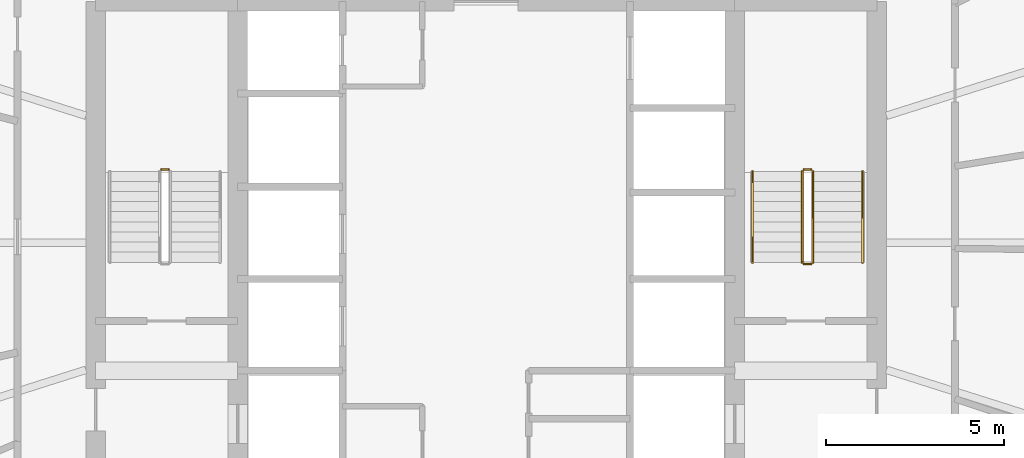
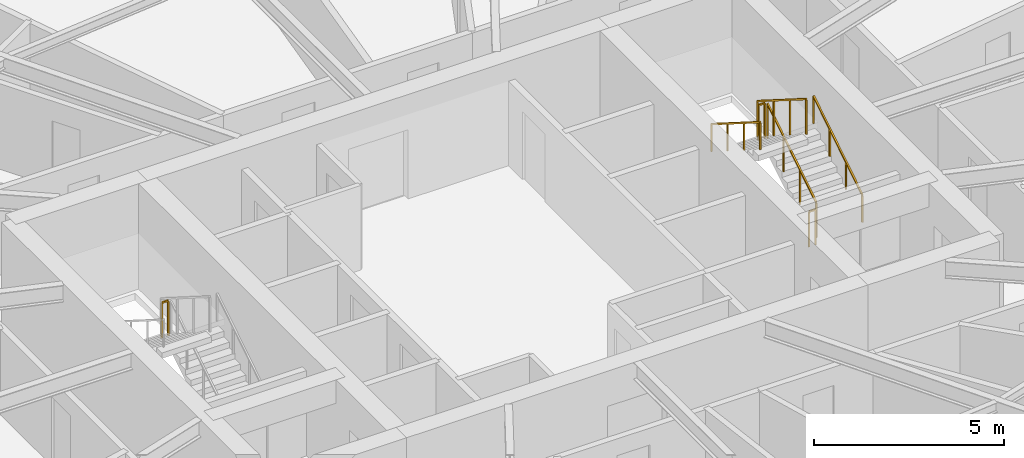
# One storey, part 24 of 24: 7 railings.
"""IFC4 building model written with IfcOpenShell, lengths in metres."""

import ifcopenshell
import ifcopenshell.guid

model = None  # the IFC model being written
_history = None  # IfcOwnerHistory: only IFC2X3 demands one
_inside = {}  # id of a spatial element -> (the spatial element, [elements in it])
_under = {}  # id of a project, library or spatial element -> (it, [spatial elements below it])
_declared = {}  # id of a project -> (the project, [libraries it declares])
_typed = {}  # id of a type object -> (the type object, [elements of that type])
_made_of = {}  # id of a material, layer set ... -> (it, [elements and type objects made of it])


def new_model(schema):
    """Start an empty IFC model of exactly this schema.

    Asked for "IFC4X3", IfcOpenShell would pick the latest addendum, in which some entities
    have other attributes; the version numbers below select the first issue.
    IFC2X3 requires an IfcOwnerHistory on every rooted entity: one is made here for all.
    """
    global model, _history
    if schema == "IFC4X3":
        model = ifcopenshell.file(schema_version=(4, 3, 0, 0))
    else:
        model = ifcopenshell.file(schema=schema)
    _inside.clear()
    _under.clear()
    _declared.clear()
    _typed.clear()
    _made_of.clear()
    _history = None
    if model.schema == "IFC2X3":
        org = make("IfcOrganization", Name="unknown")
        user = make(
            "IfcPersonAndOrganization",
            ThePerson=make("IfcPerson", FamilyName="unknown"),
            TheOrganization=org,
        )
        app = make(
            "IfcApplication",
            ApplicationDeveloper=org,
            Version="unknown",
            ApplicationFullName="unknown",
            ApplicationIdentifier="unknown",
        )
        _history = make(
            "IfcOwnerHistory",
            OwningUser=user,
            OwningApplication=app,
            ChangeAction="ADDED",
            CreationDate=0,
        )
    return model


def make(cls, **values):
    """One entity of the class cls with the attributes given. An attribute that is None is left unset."""
    return model.create_entity(
        cls, **{name: value for name, value in values.items() if value is not None}
    )


def rooted(cls, **values):
    """An entity with a GlobalId (a new one), such as an element, a storey or a relation."""
    return make(cls, GlobalId=ifcopenshell.guid.new(), OwnerHistory=_history, **values)


def si_unit(unit_type, name, prefix=None):
    """IfcSIUnit, for example si_unit("LENGTHUNIT", "METRE", prefix="MILLI")."""
    return make("IfcSIUnit", UnitType=unit_type, Prefix=prefix, Name=name)


def assignment(units):
    """IfcUnitAssignment: the units of a project."""
    return None if units is None else make("IfcUnitAssignment", Units=units)


def point(xyz):
    """IfcCartesianPoint."""
    return None if xyz is None else make("IfcCartesianPoint", Coordinates=xyz)


def direction(xyz):
    """IfcDirection."""
    return None if xyz is None else make("IfcDirection", DirectionRatios=xyz)


def frame(location, z_axis=None, x_axis=None):
    """IfcAxis2Placement3D, a coordinate frame: its origin and axes. An axis left out is left unset."""
    return make(
        "IfcAxis2Placement3D",
        Location=point(location),
        Axis=direction(z_axis),
        RefDirection=direction(x_axis),
    )


def frame_2d(location, x_axis=None):
    """IfcAxis2Placement2D, a coordinate frame in the plane: its origin and x axis."""
    return make(
        "IfcAxis2Placement2D", Location=point(location), RefDirection=direction(x_axis)
    )


def origin():
    """The frame at (0, 0, 0) with its axes left unset."""
    return frame((0.0, 0.0, 0.0))


def origin_2d():
    """The frame at (0, 0) in the plane with its x axis left unset."""
    return frame_2d((0.0, 0.0))


def place(relative_to, where):
    """IfcLocalPlacement: puts the frame where relative to a parent placement (None: the world)."""
    return make(
        "IfcLocalPlacement", PlacementRelTo=relative_to, RelativePlacement=where
    )


def context(
    kind, dimensions, precision=None, world=None, true_north=None, identifier=None
):
    """IfcGeometricRepresentationContext, for example the 3D "Model" context."""
    return make(
        "IfcGeometricRepresentationContext",
        ContextIdentifier=identifier,
        ContextType=kind,
        CoordinateSpaceDimension=dimensions,
        Precision=precision,
        WorldCoordinateSystem=world,
        TrueNorth=true_north,
    )


def subcontext(parent, identifier, kind, view, scale=None):
    """IfcGeometricRepresentationSubContext, for example "Body" below "Model"."""
    return make(
        "IfcGeometricRepresentationSubContext",
        ContextIdentifier=identifier,
        ContextType=kind,
        ParentContext=parent,
        TargetScale=scale,
        TargetView=view,
    )


def project(units=None, contexts=None):
    """IfcProject with its units and contexts."""
    return rooted(
        "IfcProject",
        Name="project",
        RepresentationContexts=contexts,
        UnitsInContext=assignment(units),
    )


def spatial(cls, under=None, at=None, **own):
    """A site, building, storey or space (cls), placed at a placement, below another one or the project."""
    s = rooted(cls, ObjectPlacement=at, **own)
    if under is not None:
        _under.setdefault(under.id(), (under, []))[1].append(s)
    return s


def profile(cls, at=None, kind="AREA", **sizes):
    """A parametric profile (cls). Its sizes go by their IFC names, for example OverallWidth=200.0."""
    return make(cls, ProfileType=kind, Position=at, **sizes)


def rectangle(**sizes):
    """IfcRectangleProfileDef."""
    return profile("IfcRectangleProfileDef", **sizes)


def extrude(swept, where, along, depth):
    """IfcExtrudedAreaSolid: the profile swept, set in the frame where, extruded along a direction by depth."""
    return make(
        "IfcExtrudedAreaSolid",
        SweptArea=swept,
        Position=where,
        ExtrudedDirection=direction(along),
        Depth=depth,
    )


def shape(context_of_items, identifier, shape_type, items):
    """IfcShapeRepresentation: the items that make up one representation, for example the "Body"."""
    return make(
        "IfcShapeRepresentation",
        ContextOfItems=context_of_items,
        RepresentationIdentifier=identifier,
        RepresentationType=shape_type,
        Items=items,
    )


def material(Name=None, Category=None):
    """IfcMaterial."""
    return make("IfcMaterial", Name=Name, Category=Category)


def made_of(thing, what):
    """Note that an element or type object is made of a material, layer set ...; save() writes the relation."""
    if what is not None:
        _made_of.setdefault(what.id(), (what, []))[1].append(thing)
    return thing


def type_object(cls, material=None, **own):
    """A type object (cls), such as IfcWallType, which elements share."""
    return made_of(rooted(cls, **own), material)


def element(
    cls,
    number,
    at=None,
    inside=None,
    cuts=None,
    type_object=None,
    material=None,
    context=None,
    identifier="Body",
    shape_type=None,
    held_by="IfcProductDefinitionShape",
    body=None,
    shapes=None,
    **own,
):
    """One element of the class cls, such as IfcWall. Its Tag is "e" and its number.

    at: its placement. inside: the storey or other place that contains it. cuts: it is an
    opening in that element (IfcRelVoidsElement). A single representation is given by context,
    identifier, shape_type and body (its items); several are given by shapes. held_by: the class
    of the entity that holds the representations. save() writes the other relations.
    """
    e = rooted(cls, Tag="e%d" % number, ObjectPlacement=at, **own)
    if body is not None:
        shapes = [shape(context, identifier, shape_type, body)]
    if shapes is not None:
        e.Representation = make(held_by, Representations=shapes)
    if inside is not None:
        _inside.setdefault(inside.id(), (inside, []))[1].append(e)
    if cuts is not None:
        rooted(
            "IfcRelVoidsElement", RelatingBuildingElement=cuts, RelatedOpeningElement=e
        )
    if type_object is not None:
        _typed.setdefault(type_object.id(), (type_object, []))[1].append(e)
    return made_of(e, material)


def aggregate(whole, parts):
    """IfcRelAggregates: a whole, such as a stair, and the parts it consists of."""
    return rooted("IfcRelAggregates", RelatingObject=whole, RelatedObjects=parts)


def save(model, path):
    """Write the relations noted so far, then the file.

    IfcRelAggregates (storeys below a building ...), IfcRelContainedInSpatialStructure (elements
    in a storey), IfcRelDefinesByType, IfcRelAssociatesMaterial and IfcRelDeclares: one each for
    every whole, place, type object, material and project.
    """
    for whole, parts in _under.values():
        aggregate(whole, parts)
    for where, things in _inside.values():
        rooted(
            "IfcRelContainedInSpatialStructure",
            RelatedElements=things,
            RelatingStructure=where,
        )
    for kind, things in _typed.values():
        rooted("IfcRelDefinesByType", RelatedObjects=things, RelatingType=kind)
    for what, things in _made_of.values():
        rooted("IfcRelAssociatesMaterial", RelatedObjects=things, RelatingMaterial=what)
    for by, libraries in _declared.values():
        rooted("IfcRelDeclares", RelatingContext=by, RelatedDefinitions=libraries)
    model.write(path)


model = new_model("IFC4")

# Units and contexts
model_context = context("Model", 3, precision=1e-05, world=origin(), true_north=direction((0.0, 1.0)))
body_context = subcontext(model_context, "Body", "Model", "MODEL_VIEW")
ifc_project = project(units=[si_unit("LENGTHUNIT", "METRE"), si_unit("AREAUNIT", "SQUARE_METRE"), si_unit("VOLUMEUNIT", "CUBIC_METRE"), si_unit("PLANEANGLEUNIT", "RADIAN"), si_unit("MASSUNIT", "GRAM", prefix="KILO")], contexts=[model_context])

# Site, building, storey
site_placement = place(None, origin())
site = spatial("IfcSite", under=ifc_project, at=site_placement, CompositionType="ELEMENT")
building_placement = place(site_placement, origin())
building = spatial("IfcBuilding", under=site, at=building_placement, Name="Sarneth Arch Tower", CompositionType="ELEMENT")
storey_placement = place(building_placement, frame((0.0, 0.0, 105.60009765625)))
storey = spatial("IfcBuildingStorey", under=building, at=storey_placement, Name="L26", CompositionType="ELEMENT", Elevation=105.60009765625)

# Railings
ifc_material_1 = material(Name="Brushed Stainless Steel 304 tubular handrail", Category="steel")
railing_type_1 = type_object("IfcRailingType", Name="RAIL-HANDRAIL-900", PredefinedType="HANDRAIL", material=ifc_material_1)
railing_1_placement = place(storey_placement, frame((58.60009765625, 41.449951171875, 0.179931640625)))
element("IfcRailing", 1, at=railing_1_placement, inside=storey, type_object=railing_type_1, Name="L26 ST-2 stair handrail 1", PredefinedType="HANDRAIL", context=body_context, shape_type="SweptSolid", body=[
    extrude(rectangle(XDim=0.048095703125, YDim=0.048095703125, at=origin_2d()), frame((0.0, 0.0, 0.8759765625), z_axis=(0.0, 0.845502289212, 0.533971796014), x_axis=(-1.0, 0.0, 0.0)), (0.0, 0.0, 1.0), 3.03369140625),
    extrude(rectangle(XDim=0.0419921875, YDim=0.0419921875, at=origin_2d()), origin(), (0.0, 0.0, 1.0), 0.851806640625),
    extrude(rectangle(XDim=0.0419921875, YDim=0.0419921875, at=origin_2d()), frame((0.0, 0.85498046875, 0.5400390625)), (0.0, 0.0, 1.0), 0.851806640625),
    extrude(rectangle(XDim=0.0419921875, YDim=0.0419921875, at=origin_2d()), frame((0.0, 1.7099609375, 1.079833984375)), (0.0, 0.0, 1.0), 0.851806640625),
    extrude(rectangle(XDim=0.0419921875, YDim=0.0419921875, at=origin_2d()), frame((0.0, 2.56494140625, 1.619873046875)), (0.0, 0.0, 1.0), 0.851806640625),
])
railing_2_placement = place(storey_placement, frame((55.5, 44.014892578125, 1.97998046875)))
element("IfcRailing", 2, at=railing_2_placement, inside=storey, type_object=railing_type_1, Name="L26 ST-2 stair handrail 2", PredefinedType="HANDRAIL", context=body_context, shape_type="SweptSolid", body=[
    extrude(rectangle(XDim=0.048095703125, YDim=0.048095703125, at=origin_2d()), frame((0.0, 0.0, 0.8759765625), z_axis=(0.0, -0.845502289212, 0.533971796014), x_axis=(1.0, 0.0, 0.0)), (0.0, 0.0, 1.0), 3.03369140625),
    extrude(rectangle(XDim=0.0419921875, YDim=0.0419921875, at=origin_2d()), origin(), (0.0, 0.0, 1.0), 0.851806640625),
    extrude(rectangle(XDim=0.0419921875, YDim=0.0419921875, at=origin_2d()), frame((0.0, -0.85498046875, 0.5400390625)), (0.0, 0.0, 1.0), 0.851806640625),
    extrude(rectangle(XDim=0.0419921875, YDim=0.0419921875, at=origin_2d()), frame((0.0, -1.7099609375, 1.079833984375)), (0.0, 0.0, 1.0), 0.851806640625),
    extrude(rectangle(XDim=0.0419921875, YDim=0.0419921875, at=origin_2d()), frame((0.0, -2.56494140625, 1.619873046875)), (0.0, 0.0, 1.0), 0.851806640625),
])
ifc_material_2 = material(Name="Painted Steel S275 stair well guard", Category="steel")
railing_type_2 = type_object("IfcRailingType", Name="RAIL-STAIR-GUARD", PredefinedType="GUARDRAIL", material=ifc_material_2)
railing_3_placement = place(storey_placement, frame((39.050048828125, 44.06494140625, 1.7998046875)))
element("IfcRailing", 3, at=railing_3_placement, inside=storey, type_object=railing_type_2, Name="L26 ST-1 stair guard 2", PredefinedType="GUARDRAIL", context=body_context, shape_type="SweptSolid", body=[
    extrude(rectangle(XDim=0.048095703125, YDim=0.048095703125, at=origin_2d()), frame((0.0, 0.0, 1.1259765625), z_axis=(-1.0, 0.0, 0.0), x_axis=(0.0, -1.0, 0.0)), (0.0, 0.0, 1.0), 0.199951171875),
    extrude(rectangle(XDim=0.0419921875, YDim=0.0419921875, at=origin_2d()), origin(), (0.0, 0.0, 1.0), 1.101806640625),
    extrude(rectangle(XDim=0.0419921875, YDim=0.0419921875, at=origin_2d()), frame((-0.199951171875, 0.0, 0.0)), (0.0, 0.0, 1.0), 1.101806640625),
])
railing_4_placement = place(storey_placement, frame((57.199951171875, 41.449951171875, 0.179931640625)))
element("IfcRailing", 4, at=railing_4_placement, inside=storey, type_object=railing_type_2, Name="L26 ST-2 stair guard 1", PredefinedType="GUARDRAIL", context=body_context, shape_type="SweptSolid", body=[
    extrude(rectangle(XDim=0.048095703125, YDim=0.048095703125, at=origin_2d()), frame((0.0, 0.0, 1.1259765625), z_axis=(0.0, 0.845502289212, 0.533971796014), x_axis=(-1.0, 0.0, 0.0)), (0.0, 0.0, 1.0), 3.03369140625),
    extrude(rectangle(XDim=0.0419921875, YDim=0.0419921875, at=origin_2d()), origin(), (0.0, 0.0, 1.0), 1.101806640625),
    extrude(rectangle(XDim=0.0419921875, YDim=0.0419921875, at=origin_2d()), frame((0.0, 0.85498046875, 0.5400390625)), (0.0, 0.0, 1.0), 1.101806640625),
    extrude(rectangle(XDim=0.0419921875, YDim=0.0419921875, at=origin_2d()), frame((0.0, 1.7099609375, 1.079833984375)), (0.0, 0.0, 1.0), 1.101806640625),
    extrude(rectangle(XDim=0.0419921875, YDim=0.0419921875, at=origin_2d()), frame((0.0, 2.56494140625, 1.619873046875)), (0.0, 0.0, 1.0), 1.101806640625),
])
railing_5_placement = place(storey_placement, frame((57.14990234375, 44.06494140625, 1.7998046875)))
element("IfcRailing", 5, at=railing_5_placement, inside=storey, type_object=railing_type_2, Name="L26 ST-2 stair guard 2", PredefinedType="GUARDRAIL", context=body_context, shape_type="SweptSolid", body=[
    extrude(rectangle(XDim=0.048095703125, YDim=0.048095703125, at=origin_2d()), frame((0.0, 0.0, 1.1259765625), z_axis=(-1.0, 0.0, 0.0), x_axis=(0.0, -1.0, 0.0)), (0.0, 0.0, 1.0), 0.199951171875),
    extrude(rectangle(XDim=0.0419921875, YDim=0.0419921875, at=origin_2d()), origin(), (0.0, 0.0, 1.0), 1.101806640625),
    extrude(rectangle(XDim=0.0419921875, YDim=0.0419921875, at=origin_2d()), frame((-0.199951171875, 0.0, 0.0)), (0.0, 0.0, 1.0), 1.101806640625),
])
railing_6_placement = place(storey_placement, frame((56.89990234375, 44.014892578125, 1.97998046875)))
element("IfcRailing", 6, at=railing_6_placement, inside=storey, type_object=railing_type_2, Name="L26 ST-2 stair guard 3", PredefinedType="GUARDRAIL", context=body_context, shape_type="SweptSolid", body=[
    extrude(rectangle(XDim=0.048095703125, YDim=0.048095703125, at=origin_2d()), frame((0.0, 0.0, 1.1259765625), z_axis=(0.0, -0.845502289212, 0.533971796014), x_axis=(1.0, 0.0, 0.0)), (0.0, 0.0, 1.0), 3.03369140625),
    extrude(rectangle(XDim=0.0419921875, YDim=0.0419921875, at=origin_2d()), origin(), (0.0, 0.0, 1.0), 1.101806640625),
    extrude(rectangle(XDim=0.0419921875, YDim=0.0419921875, at=origin_2d()), frame((0.0, -0.85498046875, 0.5400390625)), (0.0, 0.0, 1.0), 1.101806640625),
    extrude(rectangle(XDim=0.0419921875, YDim=0.0419921875, at=origin_2d()), frame((0.0, -1.7099609375, 1.079833984375)), (0.0, 0.0, 1.0), 1.101806640625),
    extrude(rectangle(XDim=0.0419921875, YDim=0.0419921875, at=origin_2d()), frame((0.0, -2.56494140625, 1.619873046875)), (0.0, 0.0, 1.0), 1.101806640625),
])
railing_7_placement = place(storey_placement, frame((57.14990234375, 41.39990234375, 0.0)))
element("IfcRailing", 7, at=railing_7_placement, inside=storey, type_object=railing_type_2, Name="L26 ST-2 stair guard 4", PredefinedType="GUARDRAIL", context=body_context, shape_type="SweptSolid", body=[
    extrude(rectangle(XDim=0.048095703125, YDim=0.048095703125, at=origin_2d()), frame((0.0, 0.0, 1.1259765625), z_axis=(-1.0, 0.0, 0.0), x_axis=(0.0, -1.0, 0.0)), (0.0, 0.0, 1.0), 0.199951171875),
    extrude(rectangle(XDim=0.0419921875, YDim=0.0419921875, at=origin_2d()), origin(), (0.0, 0.0, 1.0), 1.101806640625),
    extrude(rectangle(XDim=0.0419921875, YDim=0.0419921875, at=origin_2d()), frame((-0.199951171875, 0.0, 0.0)), (0.0, 0.0, 1.0), 1.101806640625),
])

save(model, "model.ifc")
